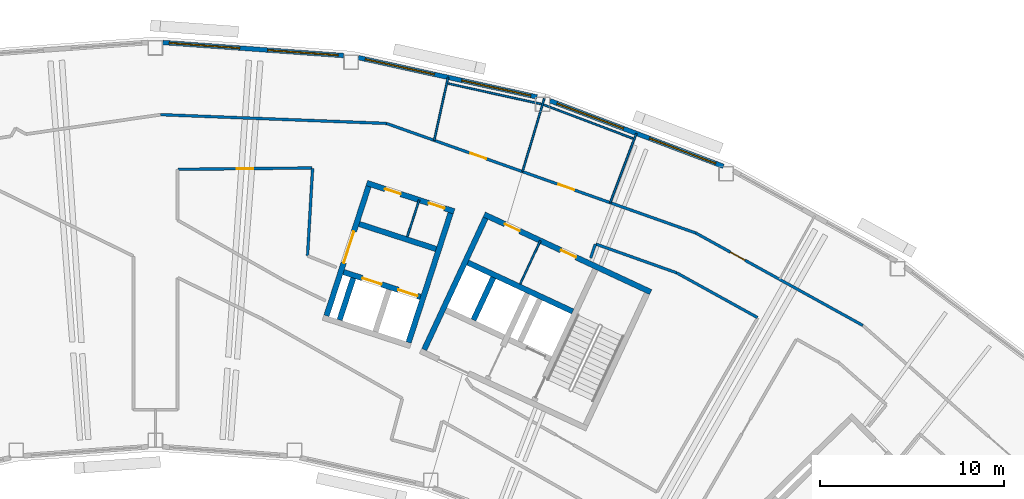
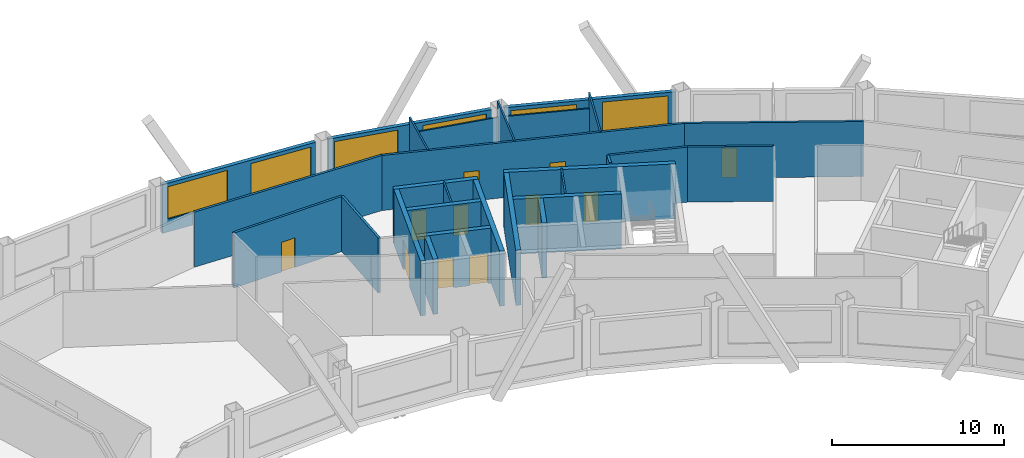
# One storey, part 10 of 13: 28 walls, 11 doors, 6 windows, 17 openings.
"""IFC4 building model written with IfcOpenShell, lengths in metres."""

from ifc_helpers import new_model, si_unit, direction, frame, frame_2d, origin, place, context, subcontext, project, spatial, rectangle, extrude, material, layer, layer_set, type_object, element, fill, save


model = new_model("IFC4")

# Units and contexts
model_context = context("Model", 3, precision=1e-05, world=origin(), true_north=direction((0.0, 1.0)))
body_context = subcontext(model_context, "Body", "Model", "MODEL_VIEW")
ifc_project = project(units=[si_unit("LENGTHUNIT", "METRE"), si_unit("AREAUNIT", "SQUARE_METRE"), si_unit("VOLUMEUNIT", "CUBIC_METRE"), si_unit("PLANEANGLEUNIT", "RADIAN"), si_unit("MASSUNIT", "GRAM", prefix="KILO")], contexts=[model_context])

# Site, building, storey
site_placement = place(None, origin())
site = spatial("IfcSite", under=ifc_project, at=site_placement, CompositionType="ELEMENT")
building_placement = place(site_placement, origin())
building = spatial("IfcBuilding", under=site, at=building_placement, Name="Tuul Gate Civic Tower", CompositionType="ELEMENT")
storey_placement = place(building_placement, frame((0.0, 0.0, 248.39990234375)))
storey = spatial("IfcBuildingStorey", under=building, at=storey_placement, Name="Level 56", CompositionType="ELEMENT", Elevation=248.39990234375)

# Wall
ifc_material_1 = material(Name="Concrete C50/60", Category="concrete")
ifc_layer_1 = layer(ifc_material_1, 0.300048828125)
ifc_layer_set_1 = layer_set([ifc_layer_1], Name="Concrete C50/60")
wall_type_1 = type_object("IfcWallType", Name="Core wall C50/60", PredefinedType="SHEAR", material=ifc_layer_set_1)
wall_1_placement = place(storey_placement, frame((33.75, -0.873779296875, 0.0), z_axis=(0.0, 0.0, 1.0), x_axis=(-0.906300917592, 0.422632992999, 0.0)))
element("IfcWall", 1, at=wall_1_placement, inside=storey, type_object=wall_type_1, Name="Core wall", PredefinedType="SHEAR", context=body_context, shape_type="SweptSolid", body=[
    extrude(rectangle(XDim=6.300048828125, YDim=0.300048828125, at=frame_2d((3.14990234375, 0.0))), origin(), (0.0, 0.0, 1.0), 3.900146484375),
])

# Wall, openings, doors
wall_2_placement = place(storey_placement, frame((37.993408203125, 0.181884765625, 0.0), z_axis=(0.0, 0.0, 1.0), x_axis=(-0.906310338845, 0.422612789327, 0.0)))
wall_2 = element("IfcWall", 2, at=wall_2_placement, inside=storey, type_object=wall_type_1, Name="Core wall", PredefinedType="SHEAR", context=body_context, shape_type="SweptSolid", body=[
    extrude(rectangle(XDim=9.999755859375, YDim=0.300048828125, at=frame_2d((5.0, 0.0))), origin(), (0.0, 0.0, 1.0), 3.900146484375),
])
opening_1_placement = place(wall_2_placement, frame((4.487548828125, 0.0, 0.0)))
opening_1 = element("IfcOpeningElement", 3, at=opening_1_placement, cuts=wall_2, Name="Opening U-D19", PredefinedType="OPENING", context=body_context, shape_type="SweptSolid", body=[
    extrude(rectangle(XDim=0.89990234375, YDim=2.10009765625, at=frame_2d((0.449951171875, 1.050048828125))), frame((0.0, 0.16015625, 0.0), z_axis=(0.0, -1.0, 0.0), x_axis=(1.0, 0.0, 0.0)), (0.0, 0.0, 1.0), 0.320068359375),
])
opening_2_placement = place(wall_2_placement, frame((7.862548828125, 0.0, 0.0)))
opening_2 = element("IfcOpeningElement", 4, at=opening_2_placement, cuts=wall_2, Name="Opening U-D20", PredefinedType="OPENING", context=body_context, shape_type="SweptSolid", body=[
    extrude(rectangle(XDim=0.89990234375, YDim=2.10009765625, at=frame_2d((0.449951171875, 1.050048828125))), frame((0.0, 0.16015625, 0.0), z_axis=(0.0, -1.0, 0.0), x_axis=(1.0, 0.0, 0.0)), (0.0, 0.0, 1.0), 0.320068359375),
])
ifc_material_2 = material(Name="Timber door leaf", Category="wood")
door_type_1 = type_object("IfcDoorType", Name="Door D09", OperationType="NOTDEFINED", PredefinedType="DOOR", material=ifc_material_2)
door_1_placement = place(opening_1_placement, origin())
door_1 = element("IfcDoor", 5, at=door_1_placement, inside=storey, type_object=door_type_1, Name="Door U-D19", OperationType="SINGLE_SWING_LEFT", OverallHeight=2.10009765625, OverallWidth=0.89990234375, PredefinedType="DOOR", context=body_context, shape_type="SweptSolid", body=[
    extrude(rectangle(XDim=0.89990234375, YDim=2.10009765625, at=frame_2d((0.449951171875, 1.050048828125))), frame((0.0, 0.02490234375, 0.0), z_axis=(0.0, -1.0, 0.0), x_axis=(1.0, 0.0, 0.0)), (0.0, 0.0, 1.0), 0.050048828125),
])
fill(opening_1, door_1)
door_2_placement = place(opening_2_placement, origin())
door_2 = element("IfcDoor", 6, at=door_2_placement, inside=storey, type_object=door_type_1, Name="Door U-D20", OperationType="SINGLE_SWING_RIGHT", OverallHeight=2.10009765625, OverallWidth=0.89990234375, PredefinedType="DOOR", context=body_context, shape_type="SweptSolid", body=[
    extrude(rectangle(XDim=0.89990234375, YDim=2.10009765625, at=frame_2d((0.449951171875, 1.050048828125))), frame((0.0, 0.02490234375, 0.0), z_axis=(0.0, -1.0, 0.0), x_axis=(1.0, 0.0, 0.0)), (0.0, 0.0, 1.0), 0.050048828125),
])
fill(opening_2, door_2)

# Walls
wall_3_placement = place(storey_placement, frame((28.349365234375, -1.33447265625, 0.0), z_axis=(0.0, 0.0, 1.0), x_axis=(0.422612891016, 0.906310291427, 0.0)))
element("IfcWall", 7, at=wall_3_placement, inside=storey, type_object=wall_type_1, Name="Core wall", PredefinedType="SHEAR", context=body_context, shape_type="SweptSolid", body=[
    extrude(rectangle(XDim=2.550048828125, YDim=0.300048828125, at=frame_2d((1.27490234375, 0.0))), origin(), (0.0, 0.0, 1.0), 3.900146484375),
])
wall_4_placement = place(storey_placement, frame((25.66455078125, -2.951416015625, 0.0), z_axis=(0.0, 0.0, 1.0), x_axis=(0.422582604137, 0.906324413596, 0.0)))
element("IfcWall", 8, at=wall_4_placement, inside=storey, type_object=wall_type_1, Name="Core wall", PredefinedType="SHEAR", context=body_context, shape_type="SweptSolid", body=[
    extrude(rectangle(XDim=7.89990234375, YDim=0.300048828125, at=frame_2d((3.949951171875, 0.0))), origin(), (0.0, 0.0, 1.0), 3.900146484375),
])

# Wall, opening, door
ifc_material_3 = material(Name="Gypsum board partition")
ifc_layer_2 = layer(ifc_material_3, 0.14990234375)
ifc_layer_set_2 = layer_set([ifc_layer_2], Name="Gypsum board partition")
wall_type_2 = type_object("IfcWallType", Name="Corridor wall P150", PredefinedType="PARTITIONING", material=ifc_layer_set_2)
wall_5_placement = place(storey_placement, frame((40.45458984375, 3.396240234375, 0.0), z_axis=(0.0, 0.0, 1.0), x_axis=(0.874957959381, -0.484198894376, 0.0)))
wall_5 = element("IfcWall", 9, at=wall_5_placement, inside=storey, type_object=wall_type_2, Name="p004", PredefinedType="PARTITIONING", context=body_context, shape_type="SweptSolid", body=[
    extrude(rectangle(XDim=10.38330078125, YDim=0.14990234375, at=frame_2d((5.191650390625, 0.0))), origin(), (0.0, 0.0, 1.0), 3.900146484375),
])
opening_3_placement = place(wall_5_placement, frame((2.1533203125, 0.0, 0.0)))
opening_3 = element("IfcOpeningElement", 10, at=opening_3_placement, cuts=wall_5, Name="Opening U-D02", PredefinedType="OPENING", context=body_context, shape_type="SweptSolid", body=[
    extrude(rectangle(XDim=0.89990234375, YDim=2.10009765625, at=frame_2d((0.449951171875, 1.050048828125))), frame((0.0, 0.0849609375, 0.0), z_axis=(0.0, -1.0, 0.0), x_axis=(1.0, 0.0, 0.0)), (0.0, 0.0, 1.0), 0.169921875),
])
door_3_placement = place(opening_3_placement, origin())
door_3 = element("IfcDoor", 11, at=door_3_placement, inside=storey, type_object=door_type_1, Name="Door U-D02", OperationType="SINGLE_SWING_RIGHT", OverallHeight=2.10009765625, OverallWidth=0.89990234375, PredefinedType="DOOR", context=body_context, shape_type="SweptSolid", body=[
    extrude(rectangle(XDim=0.89990234375, YDim=2.10009765625, at=frame_2d((0.449951171875, 1.050048828125))), frame((0.0, 0.02490234375, 0.0), z_axis=(0.0, -1.0, 0.0), x_axis=(1.0, 0.0, 0.0)), (0.0, 0.0, 1.0), 0.050048828125),
])
fill(opening_3, door_3)

# Wall, openings, doors
wall_6_placement = place(storey_placement, frame((23.607177734375, 9.36474609375, 0.0), z_axis=(0.0, 0.0, 1.0), x_axis=(0.942596771962, -0.333933115289, 0.0)))
wall_6 = element("IfcWall", 12, at=wall_6_placement, inside=storey, type_object=wall_type_2, Name="p010", PredefinedType="PARTITIONING", context=body_context, shape_type="SweptSolid", body=[
    extrude(rectangle(XDim=17.87255859375, YDim=0.14990234375, at=frame_2d((8.936279296875, 0.0))), origin(), (0.0, 0.0, 1.0), 3.900146484375),
])
opening_4_placement = place(wall_6_placement, frame((9.94287109375, 0.0, 0.0)))
opening_4 = element("IfcOpeningElement", 13, at=opening_4_placement, cuts=wall_6, Name="Opening U-D03", PredefinedType="OPENING", context=body_context, shape_type="SweptSolid", body=[
    extrude(rectangle(XDim=0.89990234375, YDim=2.10009765625, at=frame_2d((0.449951171875, 1.050048828125))), frame((0.0, 0.0849609375, 0.0), z_axis=(0.0, -1.0, 0.0), x_axis=(1.0, 0.0, 0.0)), (0.0, 0.0, 1.0), 0.169921875),
])
opening_5_placement = place(wall_6_placement, frame((4.8603515625, 0.0, 0.0)))
opening_5 = element("IfcOpeningElement", 14, at=opening_5_placement, cuts=wall_6, Name="Opening U-D04", PredefinedType="OPENING", context=body_context, shape_type="SweptSolid", body=[
    extrude(rectangle(XDim=0.89990234375, YDim=2.10009765625, at=frame_2d((0.449951171875, 1.050048828125))), frame((0.0, 0.0849609375, 0.0), z_axis=(0.0, -1.0, 0.0), x_axis=(1.0, 0.0, 0.0)), (0.0, 0.0, 1.0), 0.169921875),
])
door_4_placement = place(opening_4_placement, origin())
door_4 = element("IfcDoor", 15, at=door_4_placement, inside=storey, type_object=door_type_1, Name="Door U-D03", OperationType="SINGLE_SWING_RIGHT", OverallHeight=2.10009765625, OverallWidth=0.89990234375, PredefinedType="DOOR", context=body_context, shape_type="SweptSolid", body=[
    extrude(rectangle(XDim=0.89990234375, YDim=2.10009765625, at=frame_2d((0.449951171875, 1.050048828125))), frame((0.0, 0.02490234375, 0.0), z_axis=(0.0, -1.0, 0.0), x_axis=(1.0, 0.0, 0.0)), (0.0, 0.0, 1.0), 0.050048828125),
])
fill(opening_4, door_4)
door_5_placement = place(opening_5_placement, origin())
door_5 = element("IfcDoor", 16, at=door_5_placement, inside=storey, type_object=door_type_1, Name="Door U-D04", OperationType="SINGLE_SWING_RIGHT", OverallHeight=2.10009765625, OverallWidth=0.89990234375, PredefinedType="DOOR", context=body_context, shape_type="SweptSolid", body=[
    extrude(rectangle(XDim=0.89990234375, YDim=2.10009765625, at=frame_2d((0.449951171875, 1.050048828125))), frame((0.0, 0.02490234375, 0.0), z_axis=(0.0, -1.0, 0.0), x_axis=(1.0, 0.0, 0.0)), (0.0, 0.0, 1.0), 0.050048828125),
])
fill(opening_5, door_5)

# Walls
wall_7_placement = place(storey_placement, frame((11.314453125, 9.84130859375, 0.0), z_axis=(0.0, 0.0, 1.0), x_axis=(0.999249372923, -0.038738749497, 0.0)))
element("IfcWall", 17, at=wall_7_placement, inside=storey, type_object=wall_type_2, Name="p014", PredefinedType="PARTITIONING", context=body_context, shape_type="SweptSolid", body=[
    extrude(rectangle(XDim=12.302001953125, YDim=0.14990234375, at=frame_2d((6.15087890625, 0.0))), origin(), (0.0, 0.0, 1.0), 3.900146484375),
])
wall_8_placement = place(storey_placement, frame((39.40771484375, 1.231201171875, 0.0), z_axis=(0.0, 0.0, 1.0), x_axis=(0.875013932783, -0.484097735416, 0.0)))
element("IfcWall", 18, at=wall_8_placement, inside=storey, type_object=wall_type_2, Name="p082", PredefinedType="PARTITIONING", context=body_context, shape_type="SweptSolid", body=[
    extrude(rectangle(XDim=5.033203125, YDim=0.14990234375, at=frame_2d((2.5166015625, 0.0))), origin(), (0.0, 0.0, 1.0), 3.900146484375),
])
wall_9_placement = place(storey_placement, frame((34.724853515625, 2.037841796875, 0.0), z_axis=(0.0, 0.0, 1.0), x_axis=(0.321974815831, 0.946748233677, 0.0)))
element("IfcWall", 19, at=wall_9_placement, inside=storey, type_object=wall_type_2, Name="p085", PredefinedType="PARTITIONING", context=body_context, shape_type="SweptSolid", body=[
    extrude(rectangle(XDim=0.789306640625, YDim=0.14990234375, at=frame_2d((0.39453125, 0.0))), origin(), (0.0, 0.0, 1.0), 3.900146484375),
])
wall_10_placement = place(storey_placement, frame((35.004638671875, 2.797607421875, 0.0), z_axis=(0.0, 0.0, 1.0), x_axis=(0.942256486911, -0.334892091387, 0.0)))
element("IfcWall", 20, at=wall_10_placement, inside=storey, type_object=wall_type_2, Name="p086", PredefinedType="PARTITIONING", context=body_context, shape_type="SweptSolid", body=[
    extrude(rectangle(XDim=4.670166015625, YDim=0.14990234375, at=frame_2d((2.3349609375, 0.0))), origin(), (0.0, 0.0, 1.0), 3.900146484375),
])

# Wall, opening, door
wall_11_placement = place(storey_placement, frame((12.250732421875, 6.86474609375, 0.0), z_axis=(0.0, 0.0, 1.0), x_axis=(0.999947886834, 0.010208996843, 0.0)))
wall_11 = element("IfcWall", 21, at=wall_11_placement, inside=storey, type_object=wall_type_2, Name="p088", PredefinedType="PARTITIONING", context=body_context, shape_type="SweptSolid", body=[
    extrude(rectangle(XDim=7.31787109375, YDim=0.14990234375, at=frame_2d((3.658935546875, 0.0))), origin(), (0.0, 0.0, 1.0), 3.900146484375),
])
opening_6_placement = place(wall_11_placement, frame((3.208984375, 0.0, 0.0)))
opening_6 = element("IfcOpeningElement", 22, at=opening_6_placement, cuts=wall_11, Name="Opening U-D14", PredefinedType="OPENING", context=body_context, shape_type="SweptSolid", body=[
    extrude(rectangle(XDim=0.89990234375, YDim=2.10009765625, at=frame_2d((0.449951171875, 1.050048828125))), frame((0.0, 0.0849609375, 0.0), z_axis=(0.0, -1.0, 0.0), x_axis=(1.0, 0.0, 0.0)), (0.0, 0.0, 1.0), 0.169921875),
])
door_6_placement = place(opening_6_placement, frame((0.89990234375, 0.0, 0.0), z_axis=(0.0, 0.0, 1.0), x_axis=(-1.0, 0.0, 0.0)))
door_6 = element("IfcDoor", 23, at=door_6_placement, inside=storey, type_object=door_type_1, Name="Door U-D14", OperationType="SINGLE_SWING_LEFT", OverallHeight=2.10009765625, OverallWidth=0.89990234375, PredefinedType="DOOR", context=body_context, shape_type="SweptSolid", body=[
    extrude(rectangle(XDim=0.89990234375, YDim=2.10009765625, at=frame_2d((0.449951171875, 1.050048828125))), frame((0.0, 0.02490234375, 0.0), z_axis=(0.0, -1.0, 0.0), x_axis=(1.0, 0.0, 0.0)), (0.0, 0.0, 1.0), 0.050048828125),
])
fill(opening_6, door_6)

# Wall
wall_12_placement = place(storey_placement, frame((19.31201171875, 2.158935546875, 0.0), z_axis=(0.0, 0.0, 1.0), x_axis=(0.057920451363, 0.998321201475, 0.0)))
element("IfcWall", 24, at=wall_12_placement, inside=storey, type_object=wall_type_2, Name="p089", PredefinedType="PARTITIONING", context=body_context, shape_type="SweptSolid", body=[
    extrude(rectangle(XDim=4.767333984375, YDim=0.14990234375, at=frame_2d((2.3837890625, 0.0))), origin(), (0.0, 0.0, 1.0), 3.900146484375),
])

# Wall, openings, windows
ifc_material_4 = material(Name="Precast concrete C40/50", Category="concrete")
ifc_layer_3 = layer(ifc_material_4, 0.25)
ifc_layer_set_3 = layer_set([ifc_layer_3], Name="Precast concrete C40/50")
wall_type_3 = type_object("IfcWallType", Name="External wall", PredefinedType="STANDARD", material=ifc_layer_set_3)
wall_13_placement = place(storey_placement, frame((41.954345703125, 7.028076171875, 0.0), z_axis=(0.0, 0.0, 1.0), x_axis=(-0.935343984789, 0.353739494712, 0.0)))
wall_13 = element("IfcWall", 25, at=wall_13_placement, inside=storey, type_object=wall_type_3, Name="External wall", PredefinedType="STANDARD", context=body_context, shape_type="SweptSolid", body=[
    extrude(rectangle(XDim=10.099365234375, YDim=0.25, at=frame_2d((5.0498046875, 0.0))), origin(), (0.0, 0.0, 1.0), 3.4501953125),
])
opening_7_placement = place(wall_13_placement, frame((0.45556640625, 0.0, 0.89990234375)))
opening_7 = element("IfcOpeningElement", 26, at=opening_7_placement, cuts=wall_13, Name="Opening W22", PredefinedType="OPENING", context=body_context, shape_type="SweptSolid", body=[
    extrude(rectangle(XDim=3.85009765625, YDim=2.300048828125, at=frame_2d((1.925048828125, 1.14990234375))), frame((0.0, 0.135009765625, 0.0), z_axis=(0.0, -1.0, 0.0), x_axis=(1.0, 0.0, 0.0)), (0.0, 0.0, 1.0), 0.27001953125),
])
opening_8_placement = place(wall_13_placement, frame((5.826904296875, 0.0, 0.89990234375)))
opening_8 = element("IfcOpeningElement", 27, at=opening_8_placement, cuts=wall_13, Name="Opening W22", PredefinedType="OPENING", context=body_context, shape_type="SweptSolid", body=[
    extrude(rectangle(XDim=3.85009765625, YDim=2.300048828125, at=frame_2d((1.925048828125, 1.14990234375))), frame((0.0, 0.135009765625, 0.0), z_axis=(0.0, -1.0, 0.0), x_axis=(1.0, 0.0, 0.0)), (0.0, 0.0, 1.0), 0.27001953125),
])
ifc_material_5 = material(Name="Glass", Category="glass")
window_type = type_object("IfcWindowType", Name="Window W22 3850 x 2300", PartitioningType="SINGLE_PANEL", PredefinedType="WINDOW", material=ifc_material_5)
window_1_placement = place(opening_7_placement, origin())
window_1 = element("IfcWindow", 28, at=window_1_placement, inside=storey, type_object=window_type, Name="Window", OverallHeight=2.300048828125, OverallWidth=3.85009765625, PartitioningType="SINGLE_PANEL", PredefinedType="WINDOW", context=body_context, shape_type="SweptSolid", body=[
    extrude(rectangle(XDim=3.85009765625, YDim=2.300048828125, at=frame_2d((1.925048828125, 1.14990234375))), frame((0.0, 0.030029296875, 0.0), z_axis=(0.0, -1.0, 0.0), x_axis=(1.0, 0.0, 0.0)), (0.0, 0.0, 1.0), 0.06005859375),
])
fill(opening_7, window_1)
window_2_placement = place(opening_8_placement, origin())
window_2 = element("IfcWindow", 29, at=window_2_placement, inside=storey, type_object=window_type, Name="Window", OverallHeight=2.300048828125, OverallWidth=3.85009765625, PartitioningType="SINGLE_PANEL", PredefinedType="WINDOW", context=body_context, shape_type="SweptSolid", body=[
    extrude(rectangle(XDim=3.85009765625, YDim=2.300048828125, at=frame_2d((1.925048828125, 1.14990234375))), frame((0.0, 0.030029296875, 0.0), z_axis=(0.0, -1.0, 0.0), x_axis=(1.0, 0.0, 0.0)), (0.0, 0.0, 1.0), 0.06005859375),
])
fill(opening_8, window_2)

wall_14_placement = place(storey_placement, frame((31.80029296875, 10.804931640625, 0.0), z_axis=(0.0, 0.0, 1.0), x_axis=(-0.976562454365, 0.215234227585, 0.0)))
wall_14 = element("IfcWall", 30, at=wall_14_placement, inside=storey, type_object=wall_type_3, Name="External wall", PredefinedType="STANDARD", context=body_context, shape_type="SweptSolid", body=[
    extrude(rectangle(XDim=9.95361328125, YDim=0.25, at=frame_2d((4.976806640625, 0.0))), origin(), (0.0, 0.0, 1.0), 3.4501953125),
])
opening_9_placement = place(wall_14_placement, frame((0.34228515625, 0.0, 0.89990234375)))
opening_9 = element("IfcOpeningElement", 31, at=opening_9_placement, cuts=wall_14, Name="Opening W22", PredefinedType="OPENING", context=body_context, shape_type="SweptSolid", body=[
    extrude(rectangle(XDim=3.85009765625, YDim=2.300048828125, at=frame_2d((1.925048828125, 1.14990234375))), frame((0.0, 0.135009765625, 0.0), z_axis=(0.0, -1.0, 0.0), x_axis=(1.0, 0.0, 0.0)), (0.0, 0.0, 1.0), 0.27001953125),
])
opening_10_placement = place(wall_14_placement, frame((5.713623046875, 0.0, 0.89990234375)))
opening_10 = element("IfcOpeningElement", 32, at=opening_10_placement, cuts=wall_14, Name="Opening W22", PredefinedType="OPENING", context=body_context, shape_type="SweptSolid", body=[
    extrude(rectangle(XDim=3.85009765625, YDim=2.300048828125, at=frame_2d((1.925048828125, 1.14990234375))), frame((0.0, 0.135009765625, 0.0), z_axis=(0.0, -1.0, 0.0), x_axis=(1.0, 0.0, 0.0)), (0.0, 0.0, 1.0), 0.27001953125),
])
window_3_placement = place(opening_9_placement, origin())
window_3 = element("IfcWindow", 33, at=window_3_placement, inside=storey, type_object=window_type, Name="Window", OverallHeight=2.300048828125, OverallWidth=3.85009765625, PartitioningType="SINGLE_PANEL", PredefinedType="WINDOW", context=body_context, shape_type="SweptSolid", body=[
    extrude(rectangle(XDim=3.85009765625, YDim=2.300048828125, at=frame_2d((1.925048828125, 1.14990234375))), frame((0.0, 0.030029296875, 0.0), z_axis=(0.0, -1.0, 0.0), x_axis=(1.0, 0.0, 0.0)), (0.0, 0.0, 1.0), 0.06005859375),
])
fill(opening_9, window_3)
window_4_placement = place(opening_10_placement, origin())
window_4 = element("IfcWindow", 34, at=window_4_placement, inside=storey, type_object=window_type, Name="Window", OverallHeight=2.300048828125, OverallWidth=3.85009765625, PartitioningType="SINGLE_PANEL", PredefinedType="WINDOW", context=body_context, shape_type="SweptSolid", body=[
    extrude(rectangle(XDim=3.85009765625, YDim=2.300048828125, at=frame_2d((1.925048828125, 1.14990234375))), frame((0.0, 0.030029296875, 0.0), z_axis=(0.0, -1.0, 0.0), x_axis=(1.0, 0.0, 0.0)), (0.0, 0.0, 1.0), 0.06005859375),
])
fill(opening_10, window_4)

wall_15_placement = place(storey_placement, frame((21.280029296875, 13.057373046875, 0.0), z_axis=(0.0, 0.0, 1.0), x_axis=(-0.99738717169, 0.072241468338, 0.0)))
wall_15 = element("IfcWall", 35, at=wall_15_placement, inside=storey, type_object=wall_type_3, Name="External wall", PredefinedType="STANDARD", context=body_context, shape_type="SweptSolid", body=[
    extrude(rectangle(XDim=9.875, YDim=0.25, at=frame_2d((4.9375, 0.0))), origin(), (0.0, 0.0, 1.0), 3.4501953125),
])
opening_11_placement = place(wall_15_placement, frame((0.303466796875, 0.0, 0.89990234375)))
opening_11 = element("IfcOpeningElement", 36, at=opening_11_placement, cuts=wall_15, Name="Opening W22", PredefinedType="OPENING", context=body_context, shape_type="SweptSolid", body=[
    extrude(rectangle(XDim=3.85009765625, YDim=2.300048828125, at=frame_2d((1.925048828125, 1.14990234375))), frame((0.0, 0.135009765625, 0.0), z_axis=(0.0, -1.0, 0.0), x_axis=(1.0, 0.0, 0.0)), (0.0, 0.0, 1.0), 0.27001953125),
])
opening_12_placement = place(wall_15_placement, frame((5.67431640625, 0.0, 0.89990234375)))
opening_12 = element("IfcOpeningElement", 37, at=opening_12_placement, cuts=wall_15, Name="Opening W22", PredefinedType="OPENING", context=body_context, shape_type="SweptSolid", body=[
    extrude(rectangle(XDim=3.85009765625, YDim=2.300048828125, at=frame_2d((1.925048828125, 1.14990234375))), frame((0.0, 0.135009765625, 0.0), z_axis=(0.0, -1.0, 0.0), x_axis=(1.0, 0.0, 0.0)), (0.0, 0.0, 1.0), 0.27001953125),
])
window_5_placement = place(opening_11_placement, origin())
window_5 = element("IfcWindow", 38, at=window_5_placement, inside=storey, type_object=window_type, Name="Window", OverallHeight=2.300048828125, OverallWidth=3.85009765625, PartitioningType="SINGLE_PANEL", PredefinedType="WINDOW", context=body_context, shape_type="SweptSolid", body=[
    extrude(rectangle(XDim=3.85009765625, YDim=2.300048828125, at=frame_2d((1.925048828125, 1.14990234375))), frame((0.0, 0.030029296875, 0.0), z_axis=(0.0, -1.0, 0.0), x_axis=(1.0, 0.0, 0.0)), (0.0, 0.0, 1.0), 0.06005859375),
])
fill(opening_11, window_5)
window_6_placement = place(opening_12_placement, origin())
window_6 = element("IfcWindow", 39, at=window_6_placement, inside=storey, type_object=window_type, Name="Window", OverallHeight=2.300048828125, OverallWidth=3.85009765625, PartitioningType="SINGLE_PANEL", PredefinedType="WINDOW", context=body_context, shape_type="SweptSolid", body=[
    extrude(rectangle(XDim=3.85009765625, YDim=2.300048828125, at=frame_2d((1.925048828125, 1.14990234375))), frame((0.0, 0.030029296875, 0.0), z_axis=(0.0, -1.0, 0.0), x_axis=(1.0, 0.0, 0.0)), (0.0, 0.0, 1.0), 0.06005859375),
])
fill(opening_12, window_6)

# Wall, openings, doors
ifc_material_6 = material(Name="Concrete C40/50", Category="concrete")
ifc_layer_4 = layer(ifc_material_6, 0.300048828125)
ifc_layer_set_4 = layer_set([ifc_layer_4], Name="Concrete C40/50")
wall_type_4 = type_object("IfcWallType", Name="Lift shaft wall C40/50", PredefinedType="STANDARD", material=ifc_layer_set_4)
wall_16_placement = place(storey_placement, frame((25.460693359375, -0.0859375, 0.0), z_axis=(0.0, 0.0, 1.0), x_axis=(-0.951063829732, 0.308994485023, 0.0)))
wall_16 = element("IfcWall", 40, at=wall_16_placement, inside=storey, type_object=wall_type_4, Name="Shaft wall", PredefinedType="STANDARD", context=body_context, shape_type="SweptSolid", body=[
    extrude(rectangle(XDim=4.400146484375, YDim=0.300048828125, at=frame_2d((2.2001953125, 0.0))), origin(), (0.0, 0.0, 1.0), 3.900146484375),
])
opening_13_placement = place(wall_16_placement, frame((0.175048828125, 0.0, 0.0)))
opening_13 = element("IfcOpeningElement", 41, at=opening_13_placement, cuts=wall_16, Name="Opening LD-H2", PredefinedType="OPENING", context=body_context, shape_type="SweptSolid", body=[
    extrude(rectangle(XDim=1.10009765625, YDim=2.10009765625, at=frame_2d((0.550048828125, 1.050048828125))), frame((0.0, 0.16015625, 0.0), z_axis=(0.0, -1.0, 0.0), x_axis=(1.0, 0.0, 0.0)), (0.0, 0.0, 1.0), 0.320068359375),
])
opening_14_placement = place(wall_16_placement, frame((2.22509765625, 0.0, 0.0)))
opening_14 = element("IfcOpeningElement", 42, at=opening_14_placement, cuts=wall_16, Name="Opening LD-H3", PredefinedType="OPENING", context=body_context, shape_type="SweptSolid", body=[
    extrude(rectangle(XDim=1.10009765625, YDim=2.10009765625, at=frame_2d((0.550048828125, 1.050048828125))), frame((0.0, 0.16015625, 0.0), z_axis=(0.0, -1.0, 0.0), x_axis=(1.0, 0.0, 0.0)), (0.0, 0.0, 1.0), 0.320068359375),
])
ifc_material_7 = material(Name="Stainless steel", Category="steel")
door_type_2 = type_object("IfcDoorType", Name="Landing door", OperationType="DOUBLE_DOOR_SLIDING", PredefinedType="DOOR", material=ifc_material_7)
door_7_placement = place(opening_13_placement, origin())
door_7 = element("IfcDoor", 43, at=door_7_placement, inside=storey, type_object=door_type_2, Name="High-rise lift H2 landing door", OperationType="DOUBLE_DOOR_SLIDING", OverallHeight=2.10009765625, OverallWidth=1.10009765625, PredefinedType="DOOR", context=body_context, shape_type="SweptSolid", body=[
    extrude(rectangle(XDim=1.10009765625, YDim=2.10009765625, at=frame_2d((0.550048828125, 1.050048828125))), frame((0.0, 0.02490234375, 0.0), z_axis=(0.0, -1.0, 0.0), x_axis=(1.0, 0.0, 0.0)), (0.0, 0.0, 1.0), 0.050048828125),
])
fill(opening_13, door_7)
door_8_placement = place(opening_14_placement, origin())
door_8 = element("IfcDoor", 44, at=door_8_placement, inside=storey, type_object=door_type_2, Name="High-rise lift H3 landing door", OperationType="DOUBLE_DOOR_SLIDING", OverallHeight=2.10009765625, OverallWidth=1.10009765625, PredefinedType="DOOR", context=body_context, shape_type="SweptSolid", body=[
    extrude(rectangle(XDim=1.10009765625, YDim=2.10009765625, at=frame_2d((0.550048828125, 1.050048828125))), frame((0.0, 0.02490234375, 0.0), z_axis=(0.0, -1.0, 0.0), x_axis=(1.0, 0.0, 0.0)), (0.0, 0.0, 1.0), 0.050048828125),
])
fill(opening_14, door_8)

# Wall
wall_17_placement = place(storey_placement, frame((26.310546875, 2.529541015625, 0.0), z_axis=(0.0, 0.0, 1.0), x_axis=(-0.951058531764, 0.30901079133, 0.0)))
element("IfcWall", 45, at=wall_17_placement, inside=storey, type_object=wall_type_4, Name="Shaft wall", PredefinedType="STANDARD", context=body_context, shape_type="SweptSolid", body=[
    extrude(rectangle(XDim=4.39990234375, YDim=0.300048828125, at=frame_2d((2.199951171875, 0.0))), origin(), (0.0, 0.0, 1.0), 3.900146484375),
])

# Wall, openings, doors
wall_18_placement = place(storey_placement, frame((27.29150390625, 4.57666015625, 0.0), z_axis=(0.0, 0.0, 1.0), x_axis=(-0.951067792613, 0.308982287281, 0.0)))
wall_18 = element("IfcWall", 46, at=wall_18_placement, inside=storey, type_object=wall_type_4, Name="Shaft wall", PredefinedType="STANDARD", context=body_context, shape_type="SweptSolid", body=[
    extrude(rectangle(XDim=5.0, YDim=0.300048828125, at=frame_2d((2.5, 0.0))), origin(), (0.0, 0.0, 1.0), 3.900146484375),
])
opening_15_placement = place(wall_18_placement, frame((0.550048828125, 0.0, 0.0)))
opening_15 = element("IfcOpeningElement", 47, at=opening_15_placement, cuts=wall_18, Name="Opening U-D21", PredefinedType="OPENING", context=body_context, shape_type="SweptSolid", body=[
    extrude(rectangle(XDim=0.89990234375, YDim=2.10009765625, at=frame_2d((0.449951171875, 1.050048828125))), frame((0.0, 0.16015625, 0.0), z_axis=(0.0, -1.0, 0.0), x_axis=(1.0, 0.0, 0.0)), (0.0, 0.0, 1.0), 0.320068359375),
])
opening_16_placement = place(wall_18_placement, frame((3.050048828125, 0.0, 0.0)))
opening_16 = element("IfcOpeningElement", 48, at=opening_16_placement, cuts=wall_18, Name="Opening U-D22", PredefinedType="OPENING", context=body_context, shape_type="SweptSolid", body=[
    extrude(rectangle(XDim=0.89990234375, YDim=2.10009765625, at=frame_2d((0.449951171875, 1.050048828125))), frame((0.0, 0.16015625, 0.0), z_axis=(0.0, -1.0, 0.0), x_axis=(1.0, 0.0, 0.0)), (0.0, 0.0, 1.0), 0.320068359375),
])
door_9_placement = place(opening_15_placement, origin())
door_9 = element("IfcDoor", 49, at=door_9_placement, inside=storey, type_object=door_type_1, Name="Door U-D21", OperationType="SINGLE_SWING_LEFT", OverallHeight=2.10009765625, OverallWidth=0.89990234375, PredefinedType="DOOR", context=body_context, shape_type="SweptSolid", body=[
    extrude(rectangle(XDim=0.89990234375, YDim=2.10009765625, at=frame_2d((0.449951171875, 1.050048828125))), frame((0.0, 0.02490234375, 0.0), z_axis=(0.0, -1.0, 0.0), x_axis=(1.0, 0.0, 0.0)), (0.0, 0.0, 1.0), 0.050048828125),
])
fill(opening_15, door_9)
door_10_placement = place(opening_16_placement, origin())
door_10 = element("IfcDoor", 50, at=door_10_placement, inside=storey, type_object=door_type_1, Name="Door U-D22", OperationType="SINGLE_SWING_RIGHT", OverallHeight=2.10009765625, OverallWidth=0.89990234375, PredefinedType="DOOR", context=body_context, shape_type="SweptSolid", body=[
    extrude(rectangle(XDim=0.89990234375, YDim=2.10009765625, at=frame_2d((0.449951171875, 1.050048828125))), frame((0.0, 0.02490234375, 0.0), z_axis=(0.0, -1.0, 0.0), x_axis=(1.0, 0.0, 0.0)), (0.0, 0.0, 1.0), 0.050048828125),
])
fill(opening_16, door_10)

# Walls
wall_19_placement = place(storey_placement, frame((24.815185546875, -2.557373046875, 0.0), z_axis=(0.0, 0.0, 1.0), x_axis=(0.30907264409, 0.951038432807, 0.0)))
element("IfcWall", 51, at=wall_19_placement, inside=storey, type_object=wall_type_4, Name="Shaft wall", PredefinedType="STANDARD", context=body_context, shape_type="SweptSolid", body=[
    extrude(rectangle(XDim=7.39990234375, YDim=0.300048828125, at=frame_2d((3.699951171875, 0.0))), origin(), (0.0, 0.0, 1.0), 3.900146484375),
])
wall_20_placement = place(storey_placement, frame((21.058349609375, -1.336669921875, 0.0), z_axis=(0.0, 0.0, 1.0), x_axis=(0.309138975195, 0.951016873675, 0.0)))
element("IfcWall", 52, at=wall_20_placement, inside=storey, type_object=wall_type_4, Name="Shaft wall", PredefinedType="STANDARD", context=body_context, shape_type="SweptSolid", body=[
    extrude(rectangle(XDim=2.400146484375, YDim=0.300048828125, at=frame_2d((1.2001953125, 0.0))), origin(), (0.0, 0.0, 1.0), 3.900146484375),
])

# Wall, opening, door
wall_21_placement = place(storey_placement, frame((20.34521484375, -1.10498046875, 0.0), z_axis=(0.0, 0.0, 1.0), x_axis=(0.30907264409, 0.951038432807, 0.0)))
wall_21 = element("IfcWall", 53, at=wall_21_placement, inside=storey, type_object=wall_type_4, Name="Shaft wall", PredefinedType="STANDARD", context=body_context, shape_type="SweptSolid", body=[
    extrude(rectangle(XDim=7.39990234375, YDim=0.300048828125, at=frame_2d((3.699951171875, 0.0))), origin(), (0.0, 0.0, 1.0), 3.900146484375),
])
opening_17_placement = place(wall_21_placement, frame((3.02490234375, 0.0, 0.0)))
opening_17 = element("IfcOpeningElement", 54, at=opening_17_placement, cuts=wall_21, Name="Opening LB-E4-LOBBY-1", PredefinedType="OPENING", context=body_context, shape_type="SweptSolid", body=[
    extrude(rectangle(XDim=1.800048828125, YDim=2.10009765625, at=frame_2d((0.89990234375, 1.050048828125))), frame((0.0, 0.16015625, 0.0), z_axis=(0.0, -1.0, 0.0), x_axis=(1.0, 0.0, 0.0)), (0.0, 0.0, 1.0), 0.320068359375),
])
ifc_material_8 = material(Name="Steel", Category="steel")
door_type_3 = type_object("IfcDoorType", Name="Lobby door", OperationType="DOUBLE_DOOR_SINGLE_SWING", PredefinedType="DOOR", material=ifc_material_8)
door_11_placement = place(opening_17_placement, frame((1.800048828125, 0.0, 0.0), z_axis=(0.0, 0.0, 1.0), x_axis=(-1.0, 0.0, 0.0)))
door_11 = element("IfcDoor", 55, at=door_11_placement, inside=storey, type_object=door_type_3, Name="Lobby door E4-LOBBY", OperationType="DOUBLE_DOOR_SINGLE_SWING", OverallHeight=2.10009765625, OverallWidth=1.800048828125, PredefinedType="DOOR", context=body_context, shape_type="SweptSolid", body=[
    extrude(rectangle(XDim=1.800048828125, YDim=2.10009765625, at=frame_2d((0.900146484375, 1.050048828125))), frame((0.0, 0.02490234375, 0.0), z_axis=(0.0, -1.0, 0.0), x_axis=(1.0, 0.0, 0.0)), (0.0, 0.0, 1.0), 0.050048828125),
])
fill(opening_17, door_11)

# Walls
ifc_material_9 = material(Name="Gypsum board partition")
ifc_layer_5 = layer(ifc_material_9, 0.10009765625)
ifc_layer_set_5 = layer_set([ifc_layer_5], Name="Gypsum board partition")
wall_type_5 = type_object("IfcWallType", Name="Partition P100", PredefinedType="PARTITIONING", material=ifc_layer_set_5)
wall_22_placement = place(storey_placement, frame((35.789794921875, 5.048828125, 0.0), z_axis=(0.0, 0.0, 1.0), x_axis=(0.35373338214, 0.935346296491, 0.0)))
element("IfcWall", 56, at=wall_22_placement, inside=storey, type_object=wall_type_5, Name="p009", PredefinedType="PARTITIONING", context=body_context, shape_type="SweptSolid", body=[
    extrude(rectangle(XDim=4.036865234375, YDim=0.10009765625, at=frame_2d((2.0185546875, 0.0))), origin(), (0.0, 0.0, 1.0), 3.900146484375),
])
wall_23_placement = place(storey_placement, frame((31.016845703125, 6.73974609375, 0.0), z_axis=(0.0, 0.0, 1.0), x_axis=(0.285244597565, 0.958454756136, 0.0)))
element("IfcWall", 57, at=wall_23_placement, inside=storey, type_object=wall_type_5, Name="p011", PredefinedType="PARTITIONING", context=body_context, shape_type="SweptSolid", body=[
    extrude(rectangle(XDim=4.154541015625, YDim=0.10009765625, at=frame_2d((2.0771484375, 0.0))), origin(), (0.0, 0.0, 1.0), 3.900146484375),
])
wall_24_placement = place(storey_placement, frame((26.20849609375, 8.443115234375, 0.0), z_axis=(0.0, 0.0, 1.0), x_axis=(0.215179776516, 0.976574453781, 0.0)))
element("IfcWall", 58, at=wall_24_placement, inside=storey, type_object=wall_type_5, Name="p012", PredefinedType="PARTITIONING", context=body_context, shape_type="SweptSolid", body=[
    extrude(rectangle(XDim=3.514892578125, YDim=0.10009765625, at=frame_2d((1.75732421875, 0.0))), origin(), (0.0, 0.0, 1.0), 3.900146484375),
])
wall_25_placement = place(storey_placement, frame((30.890380859375, 0.625, 0.0), z_axis=(0.0, 0.0, 1.0), x_axis=(0.422597606916, 0.906317418253, 0.0)))
element("IfcWall", 59, at=wall_25_placement, inside=storey, type_object=wall_type_5, Name="bE3-BAND-0", PredefinedType="PARTITIONING", context=body_context, shape_type="SweptSolid", body=[
    extrude(rectangle(XDim=2.600341796875, YDim=0.10009765625, at=frame_2d((1.30029296875, 0.0))), origin(), (0.0, 0.0, 1.0), 3.900146484375),
])
wall_26_placement = place(storey_placement, frame((24.740234375, 3.197509765625, 0.0), z_axis=(0.0, 0.0, 1.0), x_axis=(0.309138649025, 0.951016979701, 0.0)))
element("IfcWall", 60, at=wall_26_placement, inside=storey, type_object=wall_type_5, Name="bE4-BAND-0", PredefinedType="PARTITIONING", context=body_context, shape_type="SweptSolid", body=[
    extrude(rectangle(XDim=2.099853515625, YDim=0.10009765625, at=frame_2d((1.0498046875, 0.0))), origin(), (0.0, 0.0, 1.0), 3.900146484375),
])
ifc_material_10 = material(Name="Gypsum board partition")
ifc_layer_6 = layer(ifc_material_10, 0.10009765625)
ifc_layer_set_6 = layer_set([ifc_layer_6], Name="Gypsum board partition")
wall_type_6 = type_object("IfcWallType", Name="Partition P100 3000 HIGH", PredefinedType="PARTITIONING", material=ifc_layer_set_6)
for number, where, z_axis, x_axis, name in (
    (61, (32.107421875, 10.404541015625, 0.0), (0.0, 0.0, 1.0), (0.935346381606, -0.353733157078, 0.0), "p092"),
    (62, (26.893798828125, 11.553466796875, 0.0), (0.0, 0.0, 1.0), (0.976568596011, -0.215206359767, 0.0), "p093"),
):
    element("IfcWall", number, at=place(storey_placement, frame(where, z_axis=z_axis, x_axis=x_axis)), inside=storey, type_object=wall_type_6, Name=name, PredefinedType="PARTITIONING", context=body_context, shape_type="SweptSolid", body=[
        extrude(rectangle(XDim=5.338623046875, YDim=0.10009765625, at=frame_2d((2.66943359375, 0.0))), origin(), (0.0, 0.0, 1.0), 3.0),
    ])

save(model, "model.ifc")
